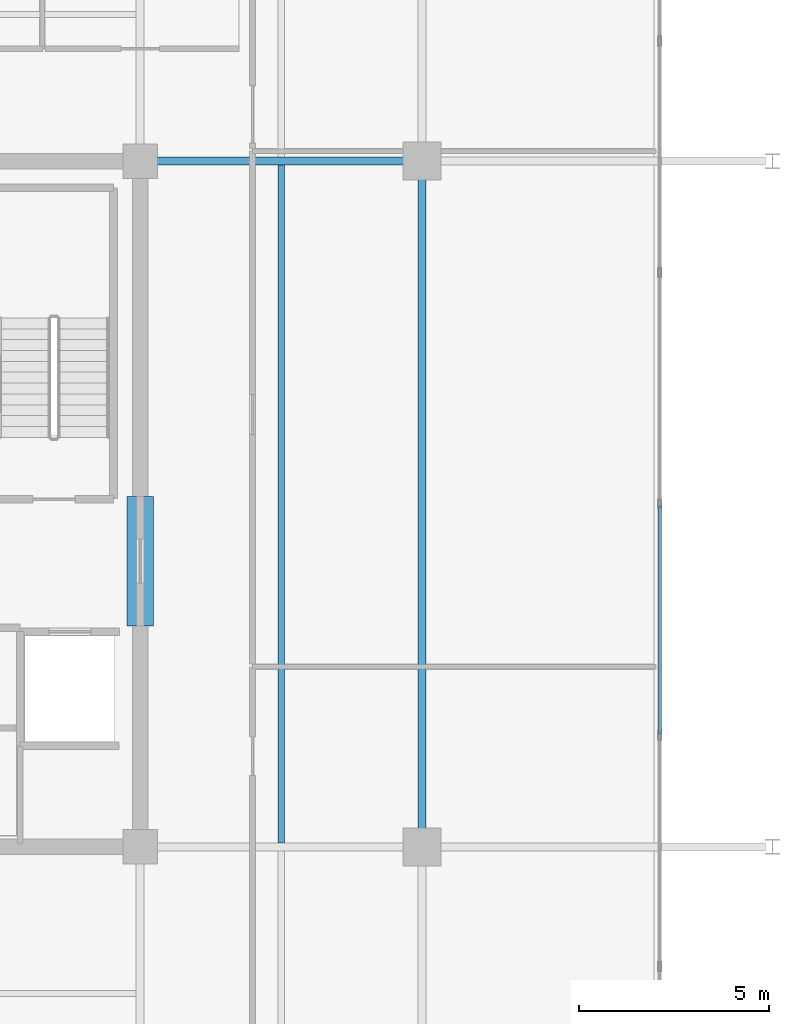
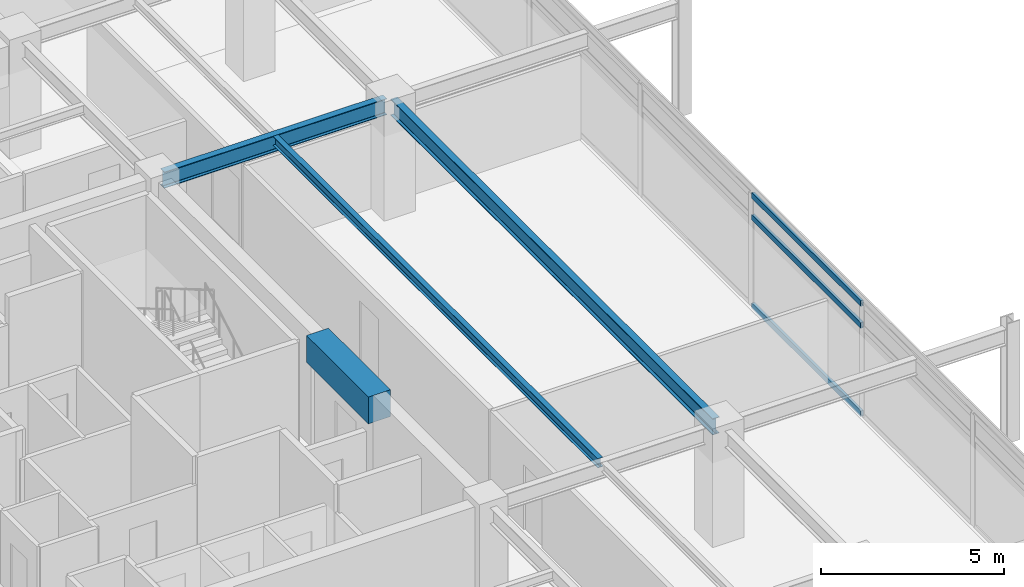
# One storey, part 8 of 20: 4 beams, 3 members, 1 element without a shape of its own.
"""IFC4 building model written with IfcOpenShell, lengths in metres."""

from ifc_helpers import new_model, si_unit, direction, frame, origin, origin_2d, place, context, subcontext, project, spatial, rectangle, hollow_rectangle, i_section, extrude, material, material_profile, profile_set, type_object, element, aggregate, save


model = new_model("IFC4")

# Units and contexts
model_context = context("Model", 3, precision=1e-05, world=origin(), true_north=direction((0.0, 1.0)))
body_context = subcontext(model_context, "Body", "Model", "MODEL_VIEW")
ifc_project = project(units=[si_unit("LENGTHUNIT", "METRE"), si_unit("AREAUNIT", "SQUARE_METRE"), si_unit("VOLUMEUNIT", "CUBIC_METRE"), si_unit("PLANEANGLEUNIT", "RADIAN"), si_unit("MASSUNIT", "GRAM", prefix="KILO")], contexts=[model_context])

# Site, building, storey
site_placement = place(None, origin())
site = spatial("IfcSite", under=ifc_project, at=site_placement, CompositionType="ELEMENT")
building_placement = place(site_placement, origin())
building = spatial("IfcBuilding", under=site, at=building_placement, Name="Kovane Verandah Tower", CompositionType="ELEMENT")
storey_placement = place(building_placement, frame((0.0, 0.0, 330.800048828125)))
storey = spatial("IfcBuildingStorey", under=building, at=storey_placement, Name="L77", CompositionType="ELEMENT", Elevation=330.800048828125)

# Beams
ifc_material_1 = material(Name="Concrete C60/75", Category="concrete")
ifc_material_profile_1 = material_profile(ifc_material_1, rectangle(XDim=0.699951171875, YDim=0.89990234375, at=origin_2d()), Name="RCB700x900")
ifc_profile_set_1 = profile_set([ifc_material_profile_1], Name="Concrete C60/75")
beam_type_1 = type_object("IfcBeamType", Name="BM-LINTEL-700x900", PredefinedType="LINTEL", material=ifc_profile_set_1)
beam_1_placement = place(storey_placement, frame((51.0, 24.300048828125, 3.3349609375), z_axis=(0.0, 1.0, 0.0), x_axis=(-1.0, 0.0, 0.0)))
element("IfcBeam", 1, at=beam_1_placement, inside=storey, type_object=beam_type_1, Name="L77 Core Coupling Lintel CL-E", PredefinedType="LINTEL", context=body_context, shape_type="SweptSolid", body=[
    extrude(rectangle(XDim=0.699951171875, YDim=0.89990234375, at=origin_2d()), origin(), (0.0, 0.0, 1.0), 3.39990234375),
])
ifc_material_2 = material(Name="Steel S355", Category="steel")
ifc_material_profile_2 = material_profile(ifc_material_2, i_section(OverallWidth=0.2119140625, OverallDepth=0.54443359375, WebThickness=0.0126953125, FlangeThickness=0.021240234375, FilletRadius=0.0126953125, at=origin_2d()), Name="UB533x210x122")
ifc_profile_set_2 = profile_set([ifc_material_profile_2], Name="Steel S355")
beam_type_2 = type_object("IfcBeamType", Name="BM-UB533x122", PredefinedType="BEAM", material=ifc_profile_set_2)
beam_2_placement = place(storey_placement, frame((58.39990234375, 18.679931640625, 3.5126953125), z_axis=(0.0, 1.0, 0.0), x_axis=(-1.0, 0.0, 0.0)))
element("IfcBeam", 2, at=beam_2_placement, inside=storey, type_object=beam_type_2, Name="L77 Primary Tower Girder G-RE2", PredefinedType="BEAM", context=body_context, shape_type="SweptSolid", body=[
    extrude(i_section(OverallWidth=0.2119140625, OverallDepth=0.54443359375, WebThickness=0.0126953125, FlangeThickness=0.021240234375, FilletRadius=0.0126953125, at=origin_2d()), origin(), (0.0, 0.0, 1.0), 17.64013671875),
])
beam_3_placement = place(storey_placement, frame((51.179931640625, 36.5, 3.5126953125), z_axis=(1.0, 0.0, 0.0), x_axis=(0.0, 1.0, 0.0)))
element("IfcBeam", 3, at=beam_3_placement, inside=storey, type_object=beam_type_2, Name="L77 Primary Tower Girder G-E2", PredefinedType="BEAM", context=body_context, shape_type="SweptSolid", body=[
    extrude(i_section(OverallWidth=0.2119140625, OverallDepth=0.54443359375, WebThickness=0.0126953125, FlangeThickness=0.021240234375, FilletRadius=0.0126953125, at=origin_2d()), origin(), (0.0, 0.0, 1.0), 7.0400390625),
])

# Curtain wall, members
ifc_material_3 = material(Name="Champagne Anodised Aluminium Frame with Low-E Clear Laminated Glass", Category="aluminium")
curtain_wall_type = type_object("IfcCurtainWallType", Name="CW-SYS-05-HIGH", PredefinedType="NOTDEFINED", material=ifc_material_3)
curtain_wall_placement = place(storey_placement, origin())
curtain_wall = element("IfcCurtainWall", 4, at=curtain_wall_placement, inside=storey, type_object=curtain_wall_type, Name="L77 E Unitised Curtain Wall", PredefinedType="NOTDEFINED")
ifc_material_4 = material(Name="Champagne Anodised Aluminium 6063-T6", Category="aluminium")
ifc_material_profile_3 = material_profile(ifc_material_4, hollow_rectangle(XDim=0.0849609375, YDim=0.18994140625, WallThickness=0.00390625, at=origin_2d()), Name="AL85x190x4")
ifc_profile_set_3 = profile_set([ifc_material_profile_3], Name="Champagne Anodised Aluminium 6063-T6")
member_type = type_object("IfcMemberType", Name="CW-TRN-85x190", PredefinedType="USERDEFINED", material=ifc_profile_set_3)
member_1_placement = place(storey_placement, frame((64.636474609375, 21.477294921875, 0.050048828125), z_axis=(0.0, 1.0, 0.0), x_axis=(-1.0, 0.0, 0.0)))
member_1 = element("IfcMember", 5, at=member_1_placement, type_object=member_type, Name="L77 E Unitised Curtain Wall Transom TB Bay 3", ObjectType="TRANSOM", PredefinedType="USERDEFINED", context=body_context, shape_type="SweptSolid", body=[
    extrude(hollow_rectangle(XDim=0.0849609375, YDim=0.18994140625, WallThickness=0.00390625, at=origin_2d()), origin(), (0.0, 0.0, 1.0), 5.97265625),
])
member_2_placement = place(storey_placement, frame((64.636474609375, 21.477294921875, 3.0048828125), z_axis=(0.0, 1.0, 0.0), x_axis=(-1.0, 0.0, 0.0)))
member_2 = element("IfcMember", 6, at=member_2_placement, type_object=member_type, Name="L77 E Unitised Curtain Wall Transom TM Bay 3", ObjectType="TRANSOM", PredefinedType="USERDEFINED", context=body_context, shape_type="SweptSolid", body=[
    extrude(hollow_rectangle(XDim=0.0849609375, YDim=0.18994140625, WallThickness=0.00390625, at=origin_2d()), origin(), (0.0, 0.0, 1.0), 5.97265625),
])
member_3_placement = place(storey_placement, frame((64.636474609375, 21.477294921875, 3.73486328125), z_axis=(0.0, 1.0, 0.0), x_axis=(-1.0, 0.0, 0.0)))
member_3 = element("IfcMember", 7, at=member_3_placement, type_object=member_type, Name="L77 E Unitised Curtain Wall Transom TT Bay 3", ObjectType="TRANSOM", PredefinedType="USERDEFINED", context=body_context, shape_type="SweptSolid", body=[
    extrude(hollow_rectangle(XDim=0.0849609375, YDim=0.18994140625, WallThickness=0.00390625, at=origin_2d()), origin(), (0.0, 0.0, 1.0), 5.97265625),
])
aggregate(curtain_wall, [member_1, member_2, member_3])

# Beam
ifc_material_profile_4 = material_profile(ifc_material_2, i_section(OverallWidth=0.1669921875, OverallDepth=0.310302734375, WebThickness=0.0078125, FlangeThickness=0.013671875, FilletRadius=0.0087890625, at=origin_2d()), Name="UB305x165x54")
ifc_profile_set_4 = profile_set([ifc_material_profile_4], Name="Steel S355")
beam_type_3 = type_object("IfcBeamType", Name="JST-UB305x54", PredefinedType="JOIST", material=ifc_profile_set_4)
beam_4_placement = place(storey_placement, frame((54.699951171875, 18.60400390625, 3.629638671875), z_axis=(0.0, 1.0, 0.0), x_axis=(-1.0, 0.0, 0.0)))
element("IfcBeam", 8, at=beam_4_placement, inside=storey, type_object=beam_type_3, Name="L77 Secondary Composite Joist J-E1", PredefinedType="JOIST", context=body_context, shape_type="SweptSolid", body=[
    extrude(i_section(OverallWidth=0.1669921875, OverallDepth=0.310302734375, WebThickness=0.0078125, FlangeThickness=0.013671875, FilletRadius=0.0087890625, at=origin_2d()), origin(), (0.0, 0.0, 1.0), 17.7919921875),
])

save(model, "model.ifc")
